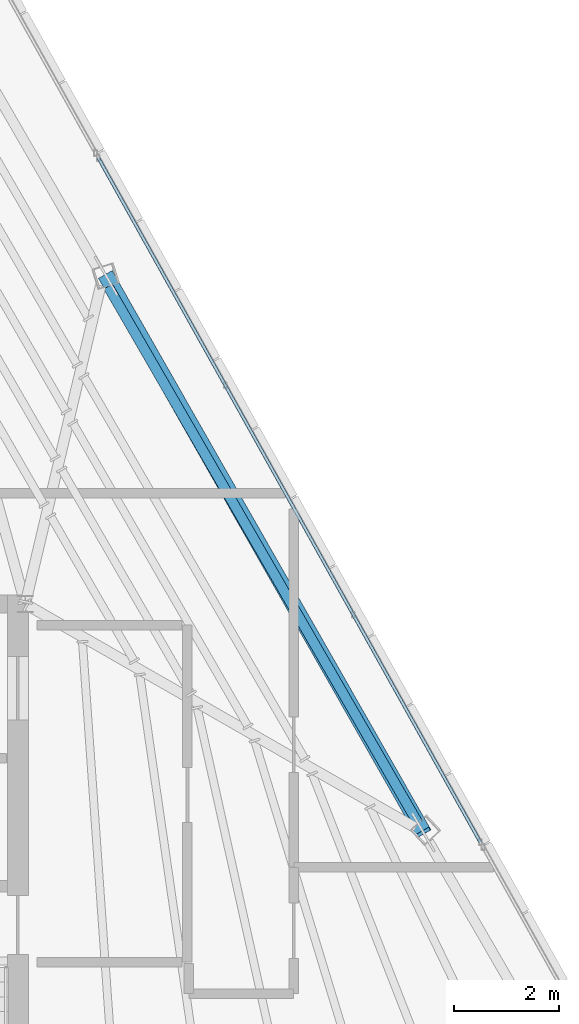
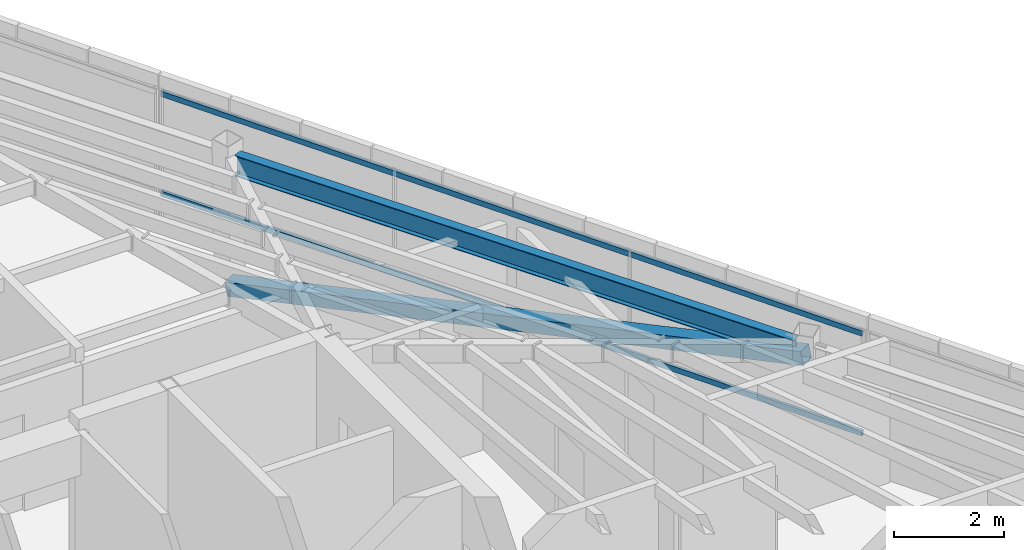
# One storey, part 29 of 47: 3 members, 1 beam, 1 element without a shape of its own.
"""IFC4 building model written with IfcOpenShell, lengths in metres."""

from ifc_helpers import new_model, si_unit, direction, frame, origin, origin_2d, place, context, subcontext, project, spatial, hollow_rectangle, i_section, extrude, source, transform, mapped, material, material_profile, profile_set, type_object, type_shapes, element, aggregate, save


model = new_model("IFC4")

# Units and contexts
model_context = context("Model", 3, precision=1e-05, world=origin(), true_north=direction((0.0, 1.0)))
body_context = subcontext(model_context, "Body", "Model", "MODEL_VIEW")
ifc_project = project(units=[si_unit("LENGTHUNIT", "METRE"), si_unit("AREAUNIT", "SQUARE_METRE"), si_unit("VOLUMEUNIT", "CUBIC_METRE"), si_unit("PLANEANGLEUNIT", "RADIAN"), si_unit("MASSUNIT", "GRAM", prefix="KILO")], contexts=[model_context])

# Site, building, storey
site_placement = place(None, origin())
site = spatial("IfcSite", under=ifc_project, at=site_placement, CompositionType="ELEMENT")
building_placement = place(site_placement, origin())
building = spatial("IfcBuilding", under=site, at=building_placement, Name="Caelisora Broadcast Tower", CompositionType="ELEMENT")
storey_placement = place(building_placement, frame((0.0, 0.0, 293.199951171875)))
storey = spatial("IfcBuildingStorey", under=building, at=storey_placement, Name="L77", CompositionType="ELEMENT", Elevation=293.199951171875)

# Beam
ifc_material_1 = material(Name="Steel Grade 350 (AS/NZS 3679.1)", Category="steel")
ifc_material_profile_1 = material_profile(ifc_material_1, i_section(OverallWidth=0.19091796875, OverallDepth=0.46044921875, WebThickness=0.010009765625, FlangeThickness=0.01611328125, at=origin_2d()), Name="Steel Grade 350 (AS/NZS 3679.1)")
ifc_profile_set_1 = profile_set([ifc_material_profile_1], Name="Steel Grade 350 (AS/NZS 3679.1)")
beam_type = type_object("IfcBeamType", Name="PG06", PredefinedType="BEAM", material=ifc_profile_set_1)
shared_shape_1 = source(origin(), body_context, "Body", "SweptSolid", [
    extrude(i_section(OverallWidth=0.19091796875, OverallDepth=0.46044921875, WebThickness=0.010009765625, FlangeThickness=0.01611328125, at=origin_2d()), origin(), (0.0, 0.0, 1.0), 11.754150390625),
])
type_shapes(beam_type, [shared_shape_1])
beam_placement = place(storey_placement, frame((52.951904296875, 25.84619140625, 2.919921875), z_axis=(-0.500005927749, 0.86602198137, 0.0), x_axis=(-0.86602198137, -0.500005927749, 0.0)))
element("IfcBeam", 1, at=beam_placement, inside=storey, type_object=beam_type, Name="L77 beam PG06", PredefinedType="BEAM", context=body_context, shape_type="MappedRepresentation", body=[
    mapped(shared_shape_1, transform((0.0, 0.0, 0.0), scale=1.0)),
])

# Member
ifc_material_2 = material(Name="Steel Grade 450 (AS/NZS 1163 C450L0)", Category="steel")
ifc_material_profile_2 = material_profile(ifc_material_2, hollow_rectangle(XDim=0.300048828125, YDim=0.300048828125, WallThickness=0.012451171875, at=origin_2d()), Name="Steel Grade 450 (AS/NZS 1163 C450L0)")
ifc_profile_set_2 = profile_set([ifc_material_profile_2], Name="Steel Grade 450 (AS/NZS 1163 C450L0)")
member_type_1 = type_object("IfcMemberType", Name="BR06", PredefinedType="BRACE", material=ifc_profile_set_2)
shared_shape_2 = source(origin(), body_context, "Body", "SweptSolid", [
    extrude(hollow_rectangle(XDim=0.300048828125, YDim=0.300048828125, WallThickness=0.012451171875, at=origin_2d()), origin(), (0.0, 0.0, 1.0), 12.46240234375),
])
type_shapes(member_type_1, [shared_shape_2])
member_1_placement = place(storey_placement, frame((53.055908203125, 25.666015625, 2.85009765625), z_axis=(-0.482976294773, 0.84737323073, -0.220663786174), x_axis=(-0.868788935455, -0.495182578077, 0.0)))
element("IfcMember", 2, at=member_1_placement, inside=storey, type_object=member_type_1, Name="L77 perimeter brace BR06", PredefinedType="BRACE", context=body_context, shape_type="MappedRepresentation", body=[
    mapped(shared_shape_2, transform((0.0, 0.0, 0.0), scale=1.0)),
])

# Curtain wall, members
ifc_material_3 = material(Name="Unitised Aluminium Insulated Shadow-Box Spandrel Curtain Wall", Category="aluminium")
curtain_wall_type = type_object("IfcCurtainWallType", Name="CW-SP3", PredefinedType="NOTDEFINED", material=ifc_material_3)
curtain_wall_placement = place(storey_placement, origin())
curtain_wall = element("IfcCurtainWall", 3, at=curtain_wall_placement, inside=storey, type_object=curtain_wall_type, Name="L77 curtain wall CW-SP3", PredefinedType="NOTDEFINED")
ifc_material_4 = material(Name="Aluminium 6063-T6 Anodised Terracotta Bronze", Category="aluminium")
ifc_material_profile_3 = material_profile(ifc_material_4, hollow_rectangle(XDim=0.06005859375, YDim=0.1201171875, WallThickness=0.0029296875, at=origin_2d()), Name="Aluminium 6063-T6 Anodised Terracotta Bronze")
ifc_profile_set_3 = profile_set([ifc_material_profile_3], Name="Aluminium 6063-T6 Anodised Terracotta Bronze")
member_type_2 = type_object("IfcMemberType", Name="CWT-03", PredefinedType="USERDEFINED", material=ifc_profile_set_3)
shared_shape_3 = source(origin(), body_context, "Body", "SweptSolid", [
    extrude(hollow_rectangle(XDim=0.06005859375, YDim=0.1201171875, WallThickness=0.0029296875, at=origin_2d()), origin(), (0.0, 0.0, 1.0), 14.87451171875),
])
type_shapes(member_type_2, [shared_shape_3])
member_2_placement = place(storey_placement, frame((46.887451171875, 38.468017578125, 0.85009765625), z_axis=(0.487410396807, -0.873173009824, 0.0), x_axis=(0.873173009824, 0.487410396807, 0.0)))
member_2 = element("IfcMember", 4, at=member_2_placement, type_object=member_type_2, Name="L77-CW-B02 transom #1", ObjectType="TRANSOM", PredefinedType="USERDEFINED", context=body_context, shape_type="MappedRepresentation", body=[
    mapped(shared_shape_3, transform((0.0, 0.0, 0.0), scale=1.0)),
])
member_3_placement = place(storey_placement, frame((46.887451171875, 38.468017578125, 3.070068359375), z_axis=(0.487410396807, -0.873173009824, 0.0), x_axis=(0.873173009824, 0.487410396807, 0.0)))
member_3 = element("IfcMember", 5, at=member_3_placement, type_object=member_type_2, Name="L77-CW-B02 transom #2", ObjectType="TRANSOM", PredefinedType="USERDEFINED", context=body_context, shape_type="MappedRepresentation", body=[
    mapped(shared_shape_3, transform((0.0, 0.0, 0.0), scale=1.0)),
])
aggregate(curtain_wall, [member_2, member_3])

save(model, "model.ifc")
